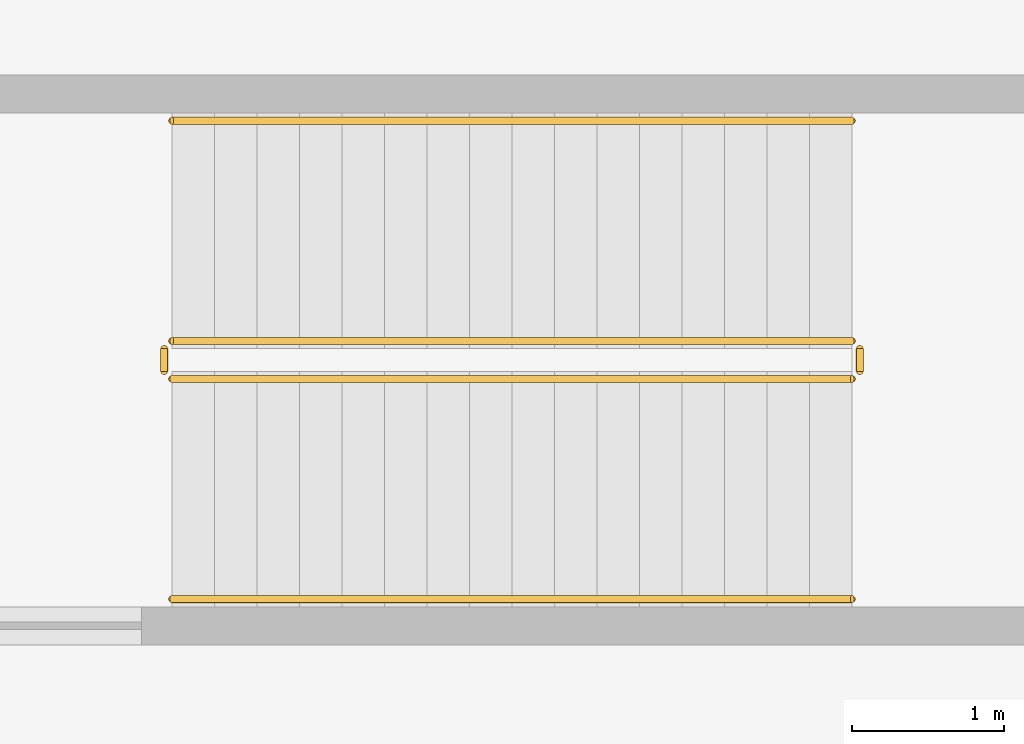
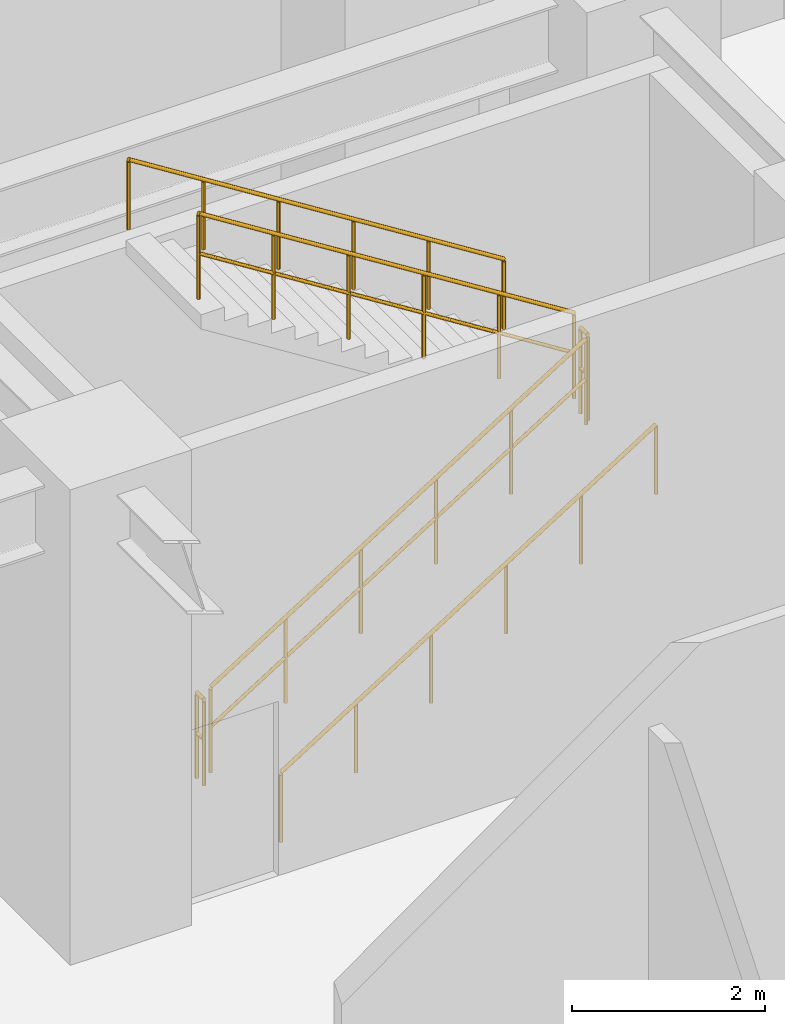
# One storey, part 11 of 13: 6 railings.
"""IFC4 building model written with IfcOpenShell, lengths in metres."""

from ifc_helpers import new_model, si_unit, direction, frame, origin, origin_2d, place, context, subcontext, project, spatial, circle, extrude, material, type_object, element, save


model = new_model("IFC4")

# Units and contexts
model_context = context("Model", 3, precision=1e-05, world=origin(), true_north=direction((0.0, 1.0)))
body_context = subcontext(model_context, "Body", "Model", "MODEL_VIEW")
ifc_project = project(units=[si_unit("LENGTHUNIT", "METRE"), si_unit("AREAUNIT", "SQUARE_METRE"), si_unit("VOLUMEUNIT", "CUBIC_METRE"), si_unit("PLANEANGLEUNIT", "RADIAN"), si_unit("MASSUNIT", "GRAM", prefix="KILO")], contexts=[model_context])

# Site, building, storey
site_placement = place(None, origin())
site = spatial("IfcSite", under=ifc_project, at=site_placement, CompositionType="ELEMENT")
building_placement = place(site_placement, origin())
building = spatial("IfcBuilding", under=site, at=building_placement, Name="Torre Montelarca", CompositionType="ELEMENT")
storey_placement = place(building_placement, origin())
storey = spatial("IfcBuildingStorey", under=building, at=storey_placement, Name="L01", CompositionType="ELEMENT", Elevation=0.0)

# Railings
ifc_material_1 = material(Name="Powder-coated steel ASTM A500 Grade C", Category="steel")
railing_type_1 = type_object("IfcRailingType", Name="RL-GUARD-1100", PredefinedType="BALUSTRADE", material=ifc_material_1)
railing_1_placement = place(storey_placement, frame((29.14990234375, 48.5, 0.176513671875)))
element("IfcRailing", 1, at=railing_1_placement, inside=storey, type_object=railing_type_1, Name="L01 ST4 stair guard 1", PredefinedType="BALUSTRADE", context=body_context, shape_type="SweptSolid", body=[
    extrude(circle(Radius=0.02392578125, at=origin_2d()), frame((0.0, 0.0, 1.076171875), z_axis=(0.845997938375, 0.0, 0.533186166611), x_axis=(0.0, 1.0, 0.0)), (0.0, 0.0, 1.0), 5.29541015625),
    extrude(circle(Radius=0.02099609375, at=origin_2d()), frame((0.0, 0.0, 0.572021484375), z_axis=(0.845997938375, 0.0, 0.533186166611), x_axis=(0.0, 1.0, 0.0)), (0.0, 0.0, 1.0), 5.29541015625),
    extrude(circle(Radius=0.02099609375, at=origin_2d()), origin(), (0.0, 0.0, 1.0), 1.052001953125),
    extrude(circle(Radius=0.02099609375, at=origin_2d()), frame((0.89599609375, 0.0, 0.564697265625)), (0.0, 0.0, 1.0), 1.052001953125),
    extrude(circle(Radius=0.02099609375, at=origin_2d()), frame((1.7919921875, 0.0, 1.12939453125)), (0.0, 0.0, 1.0), 1.052001953125),
    extrude(circle(Radius=0.02099609375, at=origin_2d()), frame((2.68798828125, 0.0, 1.694091796875)), (0.0, 0.0, 1.0), 1.052001953125),
    extrude(circle(Radius=0.02099609375, at=origin_2d()), frame((3.583984375, 0.0, 2.2587890625)), (0.0, 0.0, 1.0), 1.052001953125),
    extrude(circle(Radius=0.02099609375, at=origin_2d()), frame((4.47998046875, 0.0, 2.823486328125)), (0.0, 0.0, 1.0), 1.052001953125),
])
railing_2_placement = place(storey_placement, frame((33.679931640625, 48.550048828125, 3.0)))
element("IfcRailing", 2, at=railing_2_placement, inside=storey, type_object=railing_type_1, Name="L01 ST4 stair guard 2", PredefinedType="BALUSTRADE", context=body_context, shape_type="SweptSolid", body=[
    extrude(circle(Radius=0.02392578125, at=origin_2d()), frame((0.0, 0.0, 1.076171875), z_axis=(0.0, 1.0, 0.0), x_axis=(-1.0, 0.0, 0.0)), (0.0, 0.0, 1.0), 0.14990234375),
    extrude(circle(Radius=0.02099609375, at=origin_2d()), frame((0.0, 0.0, 0.572021484375), z_axis=(0.0, 1.0, 0.0), x_axis=(-1.0, 0.0, 0.0)), (0.0, 0.0, 1.0), 0.14990234375),
    extrude(circle(Radius=0.02099609375, at=origin_2d()), origin(), (0.0, 0.0, 1.0), 1.052001953125),
    extrude(circle(Radius=0.02099609375, at=origin_2d()), frame((0.0, 0.14990234375, 0.0)), (0.0, 0.0, 1.0), 1.052001953125),
])
railing_3_placement = place(storey_placement, frame((33.6298828125, 48.75, 3.176513671875)))
element("IfcRailing", 3, at=railing_3_placement, inside=storey, type_object=railing_type_1, Name="L01 ST4 stair guard 3", PredefinedType="BALUSTRADE", context=body_context, shape_type="SweptSolid", body=[
    extrude(circle(Radius=0.02392578125, at=origin_2d()), frame((0.0, 0.0, 1.076171875), z_axis=(-0.845997938375, 0.0, 0.533186166611), x_axis=(0.0, -1.0, 0.0)), (0.0, 0.0, 1.0), 5.29541015625),
    extrude(circle(Radius=0.02099609375, at=origin_2d()), frame((0.0, 0.0, 0.572021484375), z_axis=(-0.845997938375, 0.0, 0.533186166611), x_axis=(0.0, -1.0, 0.0)), (0.0, 0.0, 1.0), 5.29541015625),
    extrude(circle(Radius=0.02099609375, at=origin_2d()), origin(), (0.0, 0.0, 1.0), 1.052001953125),
    extrude(circle(Radius=0.02099609375, at=origin_2d()), frame((-0.89599609375, 0.0, 0.564697265625)), (0.0, 0.0, 1.0), 1.052001953125),
    extrude(circle(Radius=0.02099609375, at=origin_2d()), frame((-1.7919921875, 0.0, 1.12939453125)), (0.0, 0.0, 1.0), 1.052001953125),
    extrude(circle(Radius=0.02099609375, at=origin_2d()), frame((-2.68798828125, 0.0, 1.694091796875)), (0.0, 0.0, 1.0), 1.052001953125),
    extrude(circle(Radius=0.02099609375, at=origin_2d()), frame((-3.583984375, 0.0, 2.2587890625)), (0.0, 0.0, 1.0), 1.052001953125),
    extrude(circle(Radius=0.02099609375, at=origin_2d()), frame((-4.47998046875, 0.0, 2.823486328125)), (0.0, 0.0, 1.0), 1.052001953125),
])
railing_4_placement = place(storey_placement, frame((29.10009765625, 48.550048828125, 0.0)))
element("IfcRailing", 4, at=railing_4_placement, inside=storey, type_object=railing_type_1, Name="L01 ST4 stair guard 4", PredefinedType="BALUSTRADE", context=body_context, shape_type="SweptSolid", body=[
    extrude(circle(Radius=0.02392578125, at=origin_2d()), frame((0.0, 0.0, 1.076171875), z_axis=(0.0, 1.0, 0.0), x_axis=(-1.0, 0.0, 0.0)), (0.0, 0.0, 1.0), 0.14990234375),
    extrude(circle(Radius=0.02099609375, at=origin_2d()), frame((0.0, 0.0, 0.572021484375), z_axis=(0.0, 1.0, 0.0), x_axis=(-1.0, 0.0, 0.0)), (0.0, 0.0, 1.0), 0.14990234375),
    extrude(circle(Radius=0.02099609375, at=origin_2d()), origin(), (0.0, 0.0, 1.0), 1.052001953125),
    extrude(circle(Radius=0.02099609375, at=origin_2d()), frame((0.0, 0.14990234375, 0.0)), (0.0, 0.0, 1.0), 1.052001953125),
])
ifc_material_2 = material(Name="Brushed stainless steel AISI 316", Category="steel")
railing_type_2 = type_object("IfcRailingType", Name="RL-HANDRAIL-900", PredefinedType="HANDRAIL", material=ifc_material_2)
railing_5_placement = place(storey_placement, frame((29.14990234375, 47.050048828125, 0.176513671875)))
element("IfcRailing", 5, at=railing_5_placement, inside=storey, type_object=railing_type_2, Name="L01 ST4 stair handrail 1", PredefinedType="HANDRAIL", context=body_context, shape_type="SweptSolid", body=[
    extrude(circle(Radius=0.02392578125, at=origin_2d()), frame((0.0, 0.0, 0.8759765625), z_axis=(0.845997938375, 0.0, 0.533186166611), x_axis=(0.0, 1.0, 0.0)), (0.0, 0.0, 1.0), 5.29541015625),
    extrude(circle(Radius=0.02099609375, at=origin_2d()), origin(), (0.0, 0.0, 1.0), 0.851806640625),
    extrude(circle(Radius=0.02099609375, at=origin_2d()), frame((0.89599609375, 0.0, 0.564697265625)), (0.0, 0.0, 1.0), 0.851806640625),
    extrude(circle(Radius=0.02099609375, at=origin_2d()), frame((1.7919921875, 0.0, 1.12939453125)), (0.0, 0.0, 1.0), 0.851806640625),
    extrude(circle(Radius=0.02099609375, at=origin_2d()), frame((2.68798828125, 0.0, 1.694091796875)), (0.0, 0.0, 1.0), 0.851806640625),
    extrude(circle(Radius=0.02099609375, at=origin_2d()), frame((3.583984375, 0.0, 2.2587890625)), (0.0, 0.0, 1.0), 0.851806640625),
    extrude(circle(Radius=0.02099609375, at=origin_2d()), frame((4.47998046875, 0.0, 2.823486328125)), (0.0, 0.0, 1.0), 0.851806640625),
])
railing_6_placement = place(storey_placement, frame((33.6298828125, 50.199951171875, 3.176513671875)))
element("IfcRailing", 6, at=railing_6_placement, inside=storey, type_object=railing_type_2, Name="L01 ST4 stair handrail 2", PredefinedType="HANDRAIL", context=body_context, shape_type="SweptSolid", body=[
    extrude(circle(Radius=0.02392578125, at=origin_2d()), frame((0.0, 0.0, 0.8759765625), z_axis=(-0.845997938375, 0.0, 0.533186166611), x_axis=(0.0, -1.0, 0.0)), (0.0, 0.0, 1.0), 5.29541015625),
    extrude(circle(Radius=0.02099609375, at=origin_2d()), origin(), (0.0, 0.0, 1.0), 0.851806640625),
    extrude(circle(Radius=0.02099609375, at=origin_2d()), frame((-0.89599609375, 0.0, 0.564697265625)), (0.0, 0.0, 1.0), 0.851806640625),
    extrude(circle(Radius=0.02099609375, at=origin_2d()), frame((-1.7919921875, 0.0, 1.12939453125)), (0.0, 0.0, 1.0), 0.851806640625),
    extrude(circle(Radius=0.02099609375, at=origin_2d()), frame((-2.68798828125, 0.0, 1.694091796875)), (0.0, 0.0, 1.0), 0.851806640625),
    extrude(circle(Radius=0.02099609375, at=origin_2d()), frame((-3.583984375, 0.0, 2.2587890625)), (0.0, 0.0, 1.0), 0.851806640625),
    extrude(circle(Radius=0.02099609375, at=origin_2d()), frame((-4.47998046875, 0.0, 2.823486328125)), (0.0, 0.0, 1.0), 0.851806640625),
])

save(model, "model.ifc")
